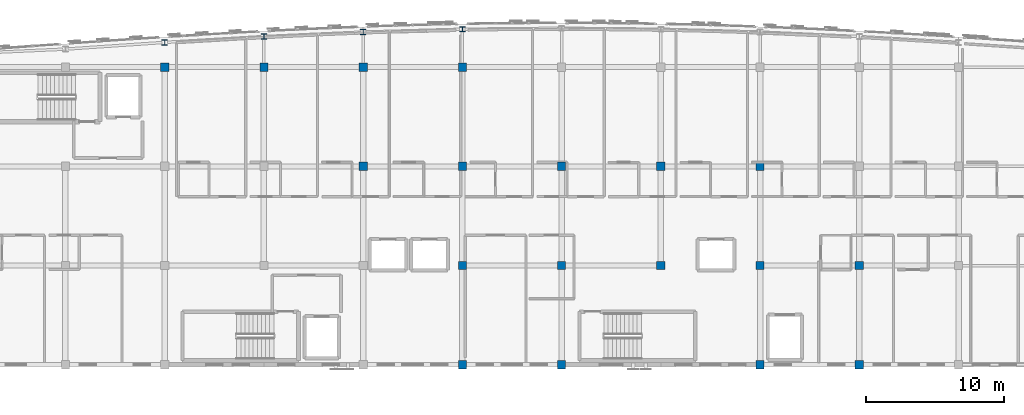
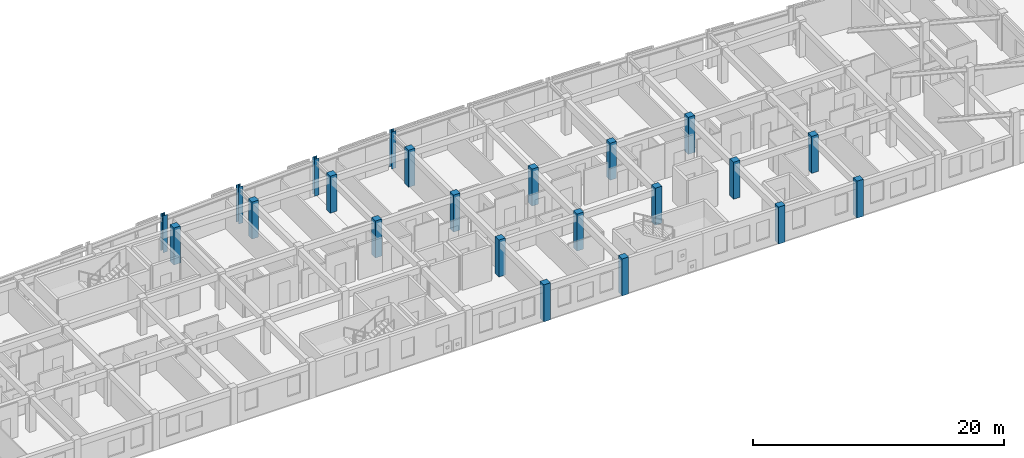
# One storey, part 2 of 41: 22 columns.
"""IFC4 building model written with IfcOpenShell, lengths in metres."""

from ifc_helpers import new_model, si_unit, direction, frame, origin, origin_2d, place, context, subcontext, project, spatial, rectangle, i_section, extrude, material, material_profile, profile_set, type_object, element, save


model = new_model("IFC4")

# Units and contexts
model_context = context("Model", 3, precision=1e-05, world=origin(), true_north=direction((0.0, 1.0)))
body_context = subcontext(model_context, "Body", "Model", "MODEL_VIEW")
ifc_project = project(units=[si_unit("LENGTHUNIT", "METRE"), si_unit("AREAUNIT", "SQUARE_METRE"), si_unit("VOLUMEUNIT", "CUBIC_METRE"), si_unit("PLANEANGLEUNIT", "RADIAN"), si_unit("MASSUNIT", "GRAM", prefix="KILO")], contexts=[model_context])

# Site, building, storey
site_placement = place(None, origin())
site = spatial("IfcSite", under=ifc_project, at=site_placement, CompositionType="ELEMENT")
building_placement = place(site_placement, origin())
building = spatial("IfcBuilding", under=site, at=building_placement, Name="Carrowvane Square Congress Hotel", CompositionType="ELEMENT")
storey_placement = place(building_placement, frame((0.0, 0.0, 37.199951171875)))
storey = spatial("IfcBuildingStorey", under=building, at=storey_placement, Name="L09", CompositionType="ELEMENT", Elevation=37.199951171875)

# Columns
ifc_material_1 = material(Name="Concrete C40/50", Category="concrete")
ifc_material_profile_1 = material_profile(ifc_material_1, rectangle(XDim=0.60009765625, YDim=0.60009765625, at=origin_2d()), Name="RC 600x600")
ifc_profile_set_1 = profile_set([ifc_material_profile_1], Name="Concrete C40/50")
column_type_1 = type_object("IfcColumnType", Name="COL-RC-600", PredefinedType="COLUMN", material=ifc_profile_set_1)
for number, where, z_axis, x_axis, name in (
    (1, (69.199951171875, 113.39990234375, 0.0), (0.0, 0.0, 1.0), (1.0, 0.0, 0.0), "L09 column 9/R"),
    (2, (76.39990234375, 113.39990234375, 0.0), (0.0, 0.0, 1.0), (1.0, 0.0, 0.0), "L09 column 10/R"),
    (3, (83.60009765625, 106.199951171875, 0.0), (0.0, 0.0, 1.0), (1.0, 0.0, 0.0), "L09 column 11/Q"),
    (4, (83.60009765625, 113.39990234375, 0.0), (0.0, 0.0, 1.0), (1.0, 0.0, 0.0), "L09 column 11/R"),
    (5, (90.800048828125, 91.800048828125, 0.0), (0.0, 0.0, 1.0), (1.0, 0.0, 0.0), "L09 column 12/N"),
    (6, (90.800048828125, 99.0, 0.0), (0.0, 0.0, 1.0), (1.0, 0.0, 0.0), "L09 column 12/P"),
    (7, (90.800048828125, 106.199951171875, 0.0), (0.0, 0.0, 1.0), (1.0, 0.0, 0.0), "L09 column 12/Q"),
    (8, (90.800048828125, 113.39990234375, 0.0), (0.0, 0.0, 1.0), (1.0, 0.0, 0.0), "L09 column 12/R"),
    (9, (98.0, 91.800048828125, 0.0), (0.0, 0.0, 1.0), (1.0, 0.0, 0.0), "L09 column 13/N"),
    (10, (98.0, 99.0, 0.0), (0.0, 0.0, 1.0), (1.0, 0.0, 0.0), "L09 column 13/P"),
    (11, (98.0, 106.199951171875, 0.0), (0.0, 0.0, 1.0), (1.0, 0.0, 0.0), "L09 column 13/Q"),
    (12, (105.199951171875, 99.0, 0.0), (0.0, 0.0, 1.0), (1.0, 0.0, 0.0), "L09 column 14/P"),
    (13, (105.199951171875, 106.199951171875, 0.0), (0.0, 0.0, 1.0), (1.0, 0.0, 0.0), "L09 column 14/Q"),
    (14, (112.39990234375, 91.800048828125, 0.0), (0.0, 0.0, 1.0), (1.0, 0.0, 0.0), "L09 column 15/N"),
    (15, (112.39990234375, 99.0, 0.0), (0.0, 0.0, 1.0), (1.0, 0.0, 0.0), "L09 column 15/P"),
    (16, (112.39990234375, 106.199951171875, 0.0), (0.0, 0.0, 1.0), (1.0, 0.0, 0.0), "L09 column 15/Q"),
    (17, (119.60009765625, 91.800048828125, 0.0), (0.0, 0.0, 1.0), (1.0, 0.0, 0.0), "L09 column 16/N"),
    (18, (119.60009765625, 99.0, 0.0), (0.0, 0.0, 1.0), (1.0, 0.0, 0.0), "L09 column 16/P"),
):
    element("IfcColumn", number, at=place(storey_placement, frame(where, z_axis=z_axis, x_axis=x_axis)), inside=storey, type_object=column_type_1, Name=name, PredefinedType="COLUMN", context=body_context, shape_type="SweptSolid", body=[
        extrude(rectangle(XDim=0.60009765625, YDim=0.60009765625, at=origin_2d()), origin(), (0.0, 0.0, 1.0), 3.60009765625),
    ])
ifc_material_2 = material(Name="Steel S355", Category="steel")
ifc_material_profile_2 = material_profile(ifc_material_2, i_section(OverallWidth=0.394775390625, OverallDepth=0.381103515625, WebThickness=0.018310546875, FlangeThickness=0.0302734375, FilletRadius=0.01513671875, at=origin_2d()), Name="UKC 356x406x235")
ifc_profile_set_2 = profile_set([ifc_material_profile_2], Name="Steel S355")
column_type_2 = type_object("IfcColumnType", Name="COL-ST-UKC406", PredefinedType="COLUMN", material=ifc_profile_set_2)
for number, where, z_axis, x_axis, name in (
    (19, (69.199951171875, 115.1943359375, 0.0), (0.0, 0.0, 1.0), (1.0, 0.0, 0.0), "L09 column 9/ARC"),
    (20, (76.39990234375, 115.61767578125, 0.0), (0.0, 0.0, 1.0), (1.0, 0.0, 0.0), "L09 column 10/ARC"),
    (21, (83.60009765625, 115.944091796875, 0.0), (0.0, 0.0, 1.0), (1.0, 0.0, 0.0), "L09 column 11/ARC"),
    (22, (90.800048828125, 116.14990234375, 0.0), (0.0, 0.0, 1.0), (1.0, 0.0, 0.0), "L09 column 12/ARC"),
):
    element("IfcColumn", number, at=place(storey_placement, frame(where, z_axis=z_axis, x_axis=x_axis)), inside=storey, type_object=column_type_2, Name=name, PredefinedType="COLUMN", context=body_context, shape_type="SweptSolid", body=[
        extrude(i_section(OverallWidth=0.394775390625, OverallDepth=0.381103515625, WebThickness=0.018310546875, FlangeThickness=0.0302734375, FilletRadius=0.01513671875, at=origin_2d()), origin(), (0.0, 0.0, 1.0), 3.60009765625),
    ])

save(model, "model.ifc")
